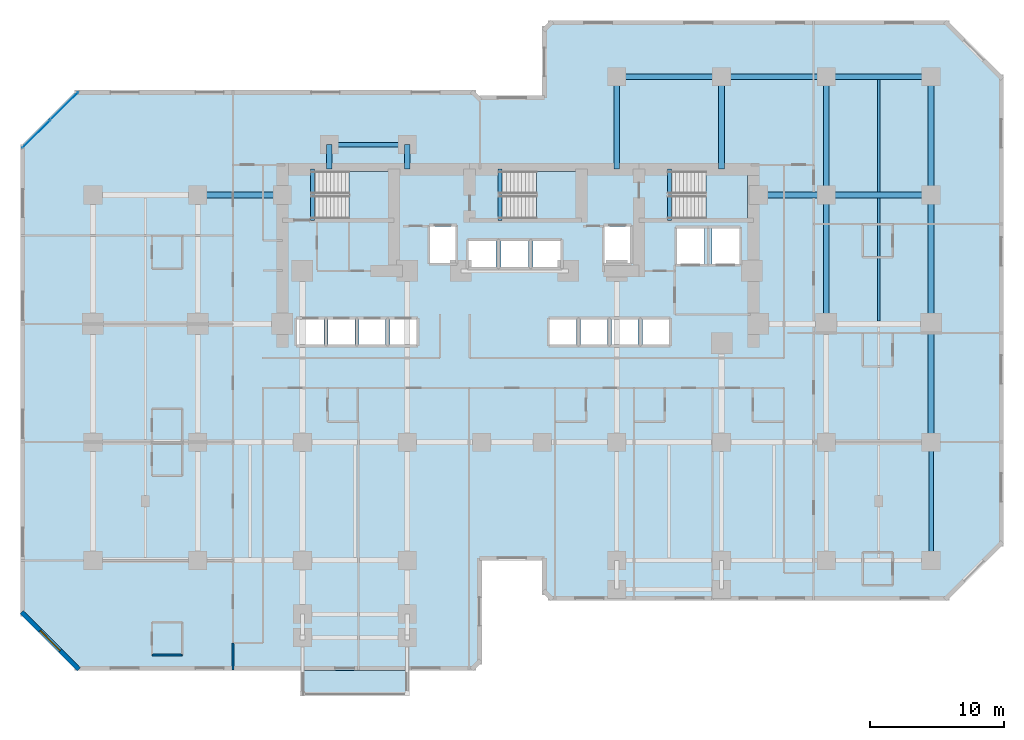
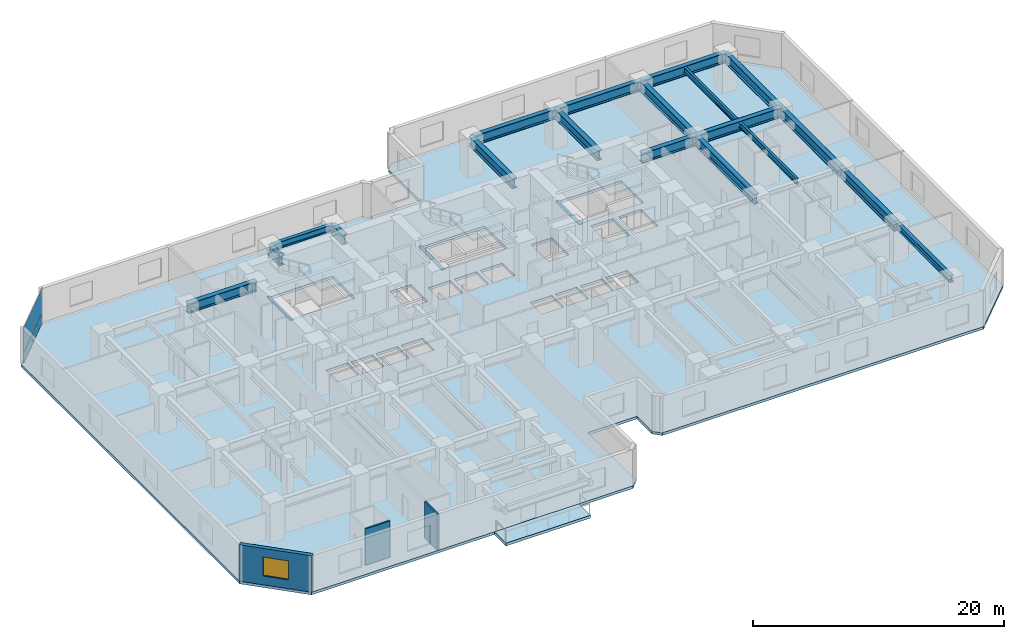
# One storey, part 4 of 12: 22 beams, 5 slabs, 4 plates, 3 walls, 1 window, 1 opening, 4 elements without a shape of their own.
"""IFC4 building model written with IfcOpenShell, lengths in metres."""

from ifc_helpers import new_model, si_unit, direction, frame, frame_2d, origin, origin_2d, place, context, subcontext, project, spatial, polyline, rectangle, i_section, outline, extrude, material, layer, layer_set, material_profile, profile_set, type_object, element, fill, aggregate, save


model = new_model("IFC4")

# Units and contexts
model_context = context("Model", 3, precision=1e-05, world=origin(), true_north=direction((0.0, 1.0)))
body_context = subcontext(model_context, "Body", "Model", "MODEL_VIEW")
ifc_project = project(units=[si_unit("LENGTHUNIT", "METRE"), si_unit("AREAUNIT", "SQUARE_METRE"), si_unit("VOLUMEUNIT", "CUBIC_METRE"), si_unit("PLANEANGLEUNIT", "RADIAN"), si_unit("MASSUNIT", "GRAM", prefix="KILO")], contexts=[model_context])

# Site, building, storey
site_placement = place(None, origin())
site = spatial("IfcSite", under=ifc_project, at=site_placement, CompositionType="ELEMENT")
building_placement = place(site_placement, origin())
building = spatial("IfcBuilding", under=site, at=building_placement, Name="Kestravale Grand Hotel", CompositionType="ELEMENT")
storey_placement = place(building_placement, frame((0.0, 0.0, 52.60009765625)))
storey = spatial("IfcBuildingStorey", under=building, at=storey_placement, Name="L12", CompositionType="ELEMENT", Elevation=52.60009765625)

# Beams
ifc_material_1 = material(Name="Steel ASTM A992 Grade 50", Category="steel")
ifc_material_profile_1 = material_profile(ifc_material_1, i_section(OverallWidth=0.2099609375, OverallDepth=0.535888671875, WebThickness=0.010986328125, FlangeThickness=0.017333984375, FilletRadius=0.017578125, at=origin_2d()))
ifc_profile_set_1 = profile_set([ifc_material_profile_1], Name="Steel ASTM A992 Grade 50")
beam_type_1 = type_object("IfcBeamType", Name="B-FLR-JST21", PredefinedType="JOIST", material=ifc_profile_set_1)
beam_1_placement = place(storey_placement, frame((66.300048828125, 29.011962890625, 3.27197265625), z_axis=(0.0, 1.0, 0.0), x_axis=(-1.0, 0.0, 0.0)))
element("IfcBeam", 1, at=beam_1_placement, inside=storey, type_object=beam_type_1, Name="L12 floor joist 10-11/E-F #1", PredefinedType="JOIST", context=body_context, shape_type="SweptSolid", body=[
    extrude(i_section(OverallWidth=0.2099609375, OverallDepth=0.535888671875, WebThickness=0.010986328125, FlangeThickness=0.017333984375, FilletRadius=0.017578125, at=origin_2d()), origin(), (0.0, 0.0, 1.0), 9.176025390625),
])
beam_2_placement = place(storey_placement, frame((66.300048828125, 38.612060546875, 3.27197265625), z_axis=(0.0, 1.0, 0.0), x_axis=(-1.0, 0.0, 0.0)))
element("IfcBeam", 2, at=beam_2_placement, inside=storey, type_object=beam_type_1, Name="L12 floor joist 10-11/F-G #1", PredefinedType="JOIST", context=body_context, shape_type="SweptSolid", body=[
    extrude(i_section(OverallWidth=0.2099609375, OverallDepth=0.535888671875, WebThickness=0.010986328125, FlangeThickness=0.017333984375, FilletRadius=0.017578125, at=origin_2d()), origin(), (0.0, 0.0, 1.0), 8.3759765625),
])
ifc_material_2 = material(Name="Concrete f'c 45 MPa", Category="concrete")
ifc_material_profile_2 = material_profile(ifc_material_2, rectangle(XDim=0.300048828125, YDim=0.39990234375, at=origin_2d()))
ifc_profile_set_2 = profile_set([ifc_material_profile_2], Name="Concrete f'c 45 MPa")
beam_type_2 = type_object("IfcBeamType", Name="B-FLR-LNT400", PredefinedType="LINTEL", material=ifc_profile_set_2)
for number, where, z_axis, x_axis, name in (
    (3, (24.159912109375, 36.52001953125, -0.2001953125), (0.0, 1.0, 0.0), (-1.0, 0.0, 0.0), "L12 ST1 flight bottom header beam"),
    (4, (38.110107421875, 36.52001953125, -0.2001953125), (0.0, 1.0, 0.0), (-1.0, 0.0, 0.0), "L12 ST2 flight bottom header beam"),
    (5, (50.7099609375, 36.52001953125, -0.2001953125), (0.0, 1.0, 0.0), (-1.0, 0.0, 0.0), "L12 ST3 flight bottom header beam"),
):
    element("IfcBeam", number, at=place(storey_placement, frame(where, z_axis=z_axis, x_axis=x_axis)), inside=storey, type_object=beam_type_2, Name=name, PredefinedType="LINTEL", context=body_context, shape_type="SweptSolid", body=[
        extrude(rectangle(XDim=0.300048828125, YDim=0.39990234375, at=origin_2d()), origin(), (0.0, 0.0, 1.0), 3.800048828125),
    ])
ifc_material_3 = material(Name="Steel ASTM A992 Grade 50", Category="steel")
ifc_material_profile_3 = material_profile(ifc_material_3, i_section(OverallWidth=0.324951171875, OverallDepth=0.612060546875, WebThickness=0.0126953125, FlangeThickness=0.01904296875, FilletRadius=0.018798828125, at=origin_2d()))
ifc_profile_set_3 = profile_set([ifc_material_profile_3], Name="Steel ASTM A992 Grade 50")
beam_type_3 = type_object("IfcBeamType", Name="B-FLR-W24A", PredefinedType="SPANDREL", material=ifc_profile_set_3)
beam_3_placement = place(storey_placement, frame((25.39990234375, 42.14990234375, 3.23388671875), z_axis=(1.0, 0.0, 0.0), x_axis=(0.0, 1.0, 0.0)))
element("IfcBeam", 6, at=beam_3_placement, inside=storey, type_object=beam_type_3, Name="L12 perimeter tie spandrel FN:4-5", PredefinedType="SPANDREL", context=body_context, shape_type="SweptSolid", body=[
    extrude(i_section(OverallWidth=0.324951171875, OverallDepth=0.612060546875, WebThickness=0.0126953125, FlangeThickness=0.01904296875, FilletRadius=0.018798828125, at=origin_2d()), origin(), (0.0, 0.0, 1.0), 5.800048828125),
])
beam_4_placement = place(storey_placement, frame((70.199951171875, 11.199951171875, 3.23388671875), z_axis=(0.0, 1.0, 0.0), x_axis=(-1.0, 0.0, 0.0)))
element("IfcBeam", 7, at=beam_4_placement, inside=storey, type_object=beam_type_3, Name="L12 spandrel 11:C-D", PredefinedType="SPANDREL", context=body_context, shape_type="SweptSolid", body=[
    extrude(i_section(OverallWidth=0.324951171875, OverallDepth=0.612060546875, WebThickness=0.0126953125, FlangeThickness=0.01904296875, FilletRadius=0.018798828125, at=origin_2d()), origin(), (0.0, 0.0, 1.0), 8.800048828125),
])
ifc_material_4 = material(Name="Steel ASTM A992 Grade 50", Category="steel")
ifc_material_profile_4 = material_profile(ifc_material_4, i_section(OverallWidth=0.424072265625, OverallDepth=0.947021484375, WebThickness=0.02392578125, FlangeThickness=0.042724609375, FilletRadius=0.0283203125, at=origin_2d()))
ifc_profile_set_4 = profile_set([ifc_material_profile_4], Name="Steel ASTM A992 Grade 50")
beam_type_4 = type_object("IfcBeamType", Name="B-GRD-W36", PredefinedType="BEAM", material=ifc_profile_set_4)
beam_5_placement = place(storey_placement, frame((15.60009765625, 38.39990234375, 3.06640625), z_axis=(1.0, 0.0, 0.0), x_axis=(0.0, 1.0, 0.0)))
element("IfcBeam", 8, at=beam_5_placement, inside=storey, type_object=beam_type_4, Name="L12 girder F:3-CW", PredefinedType="BEAM", context=body_context, shape_type="SweptSolid", body=[
    extrude(i_section(OverallWidth=0.424072265625, OverallDepth=0.947021484375, WebThickness=0.02392578125, FlangeThickness=0.042724609375, FilletRadius=0.0283203125, at=origin_2d()), origin(), (0.0, 0.0, 1.0), 6.2998046875),
])
beam_6_placement = place(storey_placement, frame((57.35009765625, 38.39990234375, 3.06640625), z_axis=(1.0, 0.0, 0.0), x_axis=(0.0, 1.0, 0.0)))
element("IfcBeam", 9, at=beam_6_placement, inside=storey, type_object=beam_type_4, Name="L12 girder F:CE-10", PredefinedType="BEAM", context=body_context, shape_type="SweptSolid", body=[
    extrude(i_section(OverallWidth=0.424072265625, OverallDepth=0.947021484375, WebThickness=0.02392578125, FlangeThickness=0.042724609375, FilletRadius=0.0283203125, at=origin_2d()), origin(), (0.0, 0.0, 1.0), 5.0498046875),
])
for number, where, z_axis, x_axis, name in (
    (10, (62.39990234375, 38.39990234375, 3.06640625), (1.0, 0.0, 0.0), (0.0, 1.0, 0.0), "L12 girder F:10-11"),
    (11, (46.800048828125, 47.199951171875, 3.06640625), (1.0, 0.0, 0.0), (0.0, 1.0, 0.0), "L12 girder G:8-9"),
):
    element("IfcBeam", number, at=place(storey_placement, frame(where, z_axis=z_axis, x_axis=x_axis)), inside=storey, type_object=beam_type_4, Name=name, PredefinedType="BEAM", context=body_context, shape_type="SweptSolid", body=[
        extrude(i_section(OverallWidth=0.424072265625, OverallDepth=0.947021484375, WebThickness=0.02392578125, FlangeThickness=0.042724609375, FilletRadius=0.0283203125, at=origin_2d()), origin(), (0.0, 0.0, 1.0), 7.800048828125),
    ])
beam_7_placement = place(storey_placement, frame((54.60009765625, 47.199951171875, 3.06640625), z_axis=(1.0, 0.0, 0.0), x_axis=(0.0, 1.0, 0.0)))
element("IfcBeam", 12, at=beam_7_placement, inside=storey, type_object=beam_type_4, Name="L12 girder G:9-10", PredefinedType="BEAM", context=body_context, shape_type="SweptSolid", body=[
    extrude(i_section(OverallWidth=0.424072265625, OverallDepth=0.947021484375, WebThickness=0.02392578125, FlangeThickness=0.042724609375, FilletRadius=0.0283203125, at=origin_2d()), origin(), (0.0, 0.0, 1.0), 7.7998046875),
])
beam_8_placement = place(storey_placement, frame((62.39990234375, 47.199951171875, 3.06640625), z_axis=(1.0, 0.0, 0.0), x_axis=(0.0, 1.0, 0.0)))
element("IfcBeam", 13, at=beam_8_placement, inside=storey, type_object=beam_type_4, Name="L12 girder G:10-11", PredefinedType="BEAM", context=body_context, shape_type="SweptSolid", body=[
    extrude(i_section(OverallWidth=0.424072265625, OverallDepth=0.947021484375, WebThickness=0.02392578125, FlangeThickness=0.042724609375, FilletRadius=0.0283203125, at=origin_2d()), origin(), (0.0, 0.0, 1.0), 7.800048828125),
])
beam_9_placement = place(storey_placement, frame((62.39990234375, 28.800048828125, 3.06640625), z_axis=(0.0, 1.0, 0.0), x_axis=(-1.0, 0.0, 0.0)))
element("IfcBeam", 14, at=beam_9_placement, inside=storey, type_object=beam_type_4, Name="L12 girder 10:E-F", PredefinedType="BEAM", context=body_context, shape_type="SweptSolid", body=[
    extrude(i_section(OverallWidth=0.424072265625, OverallDepth=0.947021484375, WebThickness=0.02392578125, FlangeThickness=0.042724609375, FilletRadius=0.0283203125, at=origin_2d()), origin(), (0.0, 0.0, 1.0), 9.599853515625),
])
for number, where, z_axis, x_axis, name in (
    (15, (62.39990234375, 38.39990234375, 3.06640625), (0.0, 1.0, 0.0), (-1.0, 0.0, 0.0), "L12 girder 10:F-G"),
    (16, (70.199951171875, 20.0, 3.06640625), (0.0, 1.0, 0.0), (-1.0, 0.0, 0.0), "L12 girder 11:D-E"),
):
    element("IfcBeam", number, at=place(storey_placement, frame(where, z_axis=z_axis, x_axis=x_axis)), inside=storey, type_object=beam_type_4, Name=name, PredefinedType="BEAM", context=body_context, shape_type="SweptSolid", body=[
        extrude(i_section(OverallWidth=0.424072265625, OverallDepth=0.947021484375, WebThickness=0.02392578125, FlangeThickness=0.042724609375, FilletRadius=0.0283203125, at=origin_2d()), origin(), (0.0, 0.0, 1.0), 8.800048828125),
    ])
beam_10_placement = place(storey_placement, frame((70.199951171875, 28.800048828125, 3.06640625), z_axis=(0.0, 1.0, 0.0), x_axis=(-1.0, 0.0, 0.0)))
element("IfcBeam", 17, at=beam_10_placement, inside=storey, type_object=beam_type_4, Name="L12 girder 11:E-F", PredefinedType="BEAM", context=body_context, shape_type="SweptSolid", body=[
    extrude(i_section(OverallWidth=0.424072265625, OverallDepth=0.947021484375, WebThickness=0.02392578125, FlangeThickness=0.042724609375, FilletRadius=0.0283203125, at=origin_2d()), origin(), (0.0, 0.0, 1.0), 9.599853515625),
])
beam_11_placement = place(storey_placement, frame((70.199951171875, 38.39990234375, 3.06640625), z_axis=(0.0, 1.0, 0.0), x_axis=(-1.0, 0.0, 0.0)))
element("IfcBeam", 18, at=beam_11_placement, inside=storey, type_object=beam_type_4, Name="L12 girder 11:F-G", PredefinedType="BEAM", context=body_context, shape_type="SweptSolid", body=[
    extrude(i_section(OverallWidth=0.424072265625, OverallDepth=0.947021484375, WebThickness=0.02392578125, FlangeThickness=0.042724609375, FilletRadius=0.0283203125, at=origin_2d()), origin(), (0.0, 0.0, 1.0), 8.800048828125),
])
for number, where, z_axis, x_axis, name in (
    (19, (25.39990234375, 40.320068359375, 3.06640625), (0.0, 1.0, 0.0), (-1.0, 0.0, 0.0), "L12 north wing tie girder 4:CN-FN"),
    (20, (31.199951171875, 40.320068359375, 3.06640625), (0.0, 1.0, 0.0), (-1.0, 0.0, 0.0), "L12 north wing tie girder 5:CN-FN"),
):
    element("IfcBeam", number, at=place(storey_placement, frame(where, z_axis=z_axis, x_axis=x_axis)), inside=storey, type_object=beam_type_4, Name=name, PredefinedType="BEAM", context=body_context, shape_type="SweptSolid", body=[
        extrude(i_section(OverallWidth=0.424072265625, OverallDepth=0.947021484375, WebThickness=0.02392578125, FlangeThickness=0.042724609375, FilletRadius=0.0283203125, at=origin_2d()), origin(), (0.0, 0.0, 1.0), 1.829833984375),
    ])
for number, where, z_axis, x_axis, name in (
    (21, (46.800048828125, 40.320068359375, 3.06640625), (0.0, 1.0, 0.0), (-1.0, 0.0, 0.0), "L12 north wing tie girder 8:CN-G"),
    (22, (54.60009765625, 40.320068359375, 3.06640625), (0.0, 1.0, 0.0), (-1.0, 0.0, 0.0), "L12 north wing tie girder 9:CN-G"),
):
    element("IfcBeam", number, at=place(storey_placement, frame(where, z_axis=z_axis, x_axis=x_axis)), inside=storey, type_object=beam_type_4, Name=name, PredefinedType="BEAM", context=body_context, shape_type="SweptSolid", body=[
        extrude(i_section(OverallWidth=0.424072265625, OverallDepth=0.947021484375, WebThickness=0.02392578125, FlangeThickness=0.042724609375, FilletRadius=0.0283203125, at=origin_2d()), origin(), (0.0, 0.0, 1.0), 6.8798828125),
    ])

# Curtain wall, plates
ifc_material_5 = material(Name="Thermally broken champagne-bronze aluminium and low-E glazing", Category="aluminium")
ifc_layer_1 = layer(ifc_material_5, 0.199951171875)
ifc_layer_set_1 = layer_set([ifc_layer_1], Name="CW-Z1")
curtain_wall_type = type_object("IfcCurtainWallType", Name="CW-Z1", PredefinedType="NOTDEFINED", material=ifc_layer_set_1)
curtain_wall_placement = place(storey_placement, origin())
curtain_wall = element("IfcCurtainWall", 23, at=curtain_wall_placement, inside=storey, type_object=curtain_wall_type, Name="L12 unitised curtain wall 18", PredefinedType="NOTDEFINED")
ifc_material_6 = material(Name="Insulated clear low-E double glazing IGU", Category="glass")
ifc_layer_2 = layer(ifc_material_6, 0.035888671875)
ifc_layer_set_2 = layer_set([ifc_layer_2], Name="CW-PNL-36")
plate_type = type_object("IfcPlateType", Name="CW-PNL-36", PredefinedType="CURTAIN_PANEL", material=ifc_layer_set_2)
plate_1_placement = place(storey_placement, frame((5.6640625, 45.023681640625, 0.074951171875), z_axis=(0.0, 0.0, 1.0), x_axis=(-0.707106781187, -0.707106781187, 0.0)))
plate_1 = element("IfcPlate", 24, at=plate_1_placement, type_object=plate_type, Name="CW-Z1 panel 1.1", PredefinedType="CURTAIN_PANEL", context=body_context, shape_type="SweptSolid", body=[
    extrude(rectangle(XDim=2.87744140625, YDim=0.035888671875, at=origin_2d()), origin(), (0.0, 0.0, 1.0), 0.9375),
])
plate_2_placement = place(storey_placement, frame((5.6640625, 45.023681640625, 1.08740234375), z_axis=(0.0, 0.0, 1.0), x_axis=(-0.707106781187, -0.707106781187, 0.0)))
plate_2 = element("IfcPlate", 25, at=plate_2_placement, type_object=plate_type, Name="CW-Z1 panel 1.2", PredefinedType="CURTAIN_PANEL", context=body_context, shape_type="SweptSolid", body=[
    extrude(rectangle(XDim=2.87744140625, YDim=0.035888671875, at=origin_2d()), origin(), (0.0, 0.0, 1.0), 2.37744140625),
])
plate_3_placement = place(storey_placement, frame((3.576416015625, 42.93603515625, 0.074951171875), z_axis=(0.0, 0.0, 1.0), x_axis=(-0.707106781187, -0.707106781187, 0.0)))
plate_3 = element("IfcPlate", 26, at=plate_3_placement, type_object=plate_type, Name="CW-Z1 panel 2.1", PredefinedType="CURTAIN_PANEL", context=body_context, shape_type="SweptSolid", body=[
    extrude(rectangle(XDim=2.87744140625, YDim=0.035888671875, at=origin_2d()), origin(), (0.0, 0.0, 1.0), 0.9375),
])
plate_4_placement = place(storey_placement, frame((3.576416015625, 42.93603515625, 1.08740234375), z_axis=(0.0, 0.0, 1.0), x_axis=(-0.707106781187, -0.707106781187, 0.0)))
plate_4 = element("IfcPlate", 27, at=plate_4_placement, type_object=plate_type, Name="CW-Z1 panel 2.2", PredefinedType="CURTAIN_PANEL", context=body_context, shape_type="SweptSolid", body=[
    extrude(rectangle(XDim=2.87744140625, YDim=0.035888671875, at=origin_2d()), origin(), (0.0, 0.0, 1.0), 2.37744140625),
])
aggregate(curtain_wall, [plate_1, plate_2, plate_3, plate_4])

# Slab
ifc_material_7 = material(Name="Concrete f'c 45 MPa", Category="concrete")
ifc_layer_3 = layer(ifc_material_7, 0.27001953125)
ifc_layer_set_3 = layer_set([ifc_layer_3], Name="ES-TERR-270")
slab_type_1 = type_object("IfcSlabType", Name="ES-TERR-270", PredefinedType="FLOOR", material=ifc_layer_set_3)
slab_1_placement = place(storey_placement, frame((0.0, 0.0, -0.27001953125)))
element("IfcSlab", 28, at=slab_1_placement, inside=storey, type_object=slab_type_1, Name="L12 spiralling planted garden terrace", PredefinedType="FLOOR", context=body_context, shape_type="SweptSolid", body=[
    extrude(outline(polyline([(23.39990234375, 1.14990234375), (31.199951171875, 1.14990234375), (31.199951171875, 3.0), (23.39990234375, 3.0), (23.39990234375, 1.14990234375)])), origin(), (0.0, 0.0, 1.0), 0.27001953125),
])

# Stair, slab
ifc_material_8 = material(Name="Concrete f'c 45 MPa", Category="concrete")
stair_type = type_object("IfcStairType", Name="ST-CORE-380", PredefinedType="HALF_TURN_STAIR", material=ifc_material_8)
stair_1_placement = place(storey_placement, origin())
stair_1 = element("IfcStair", 29, at=stair_1_placement, inside=storey, type_object=stair_type, Name="L12 ST-1", PredefinedType="HALF_TURN_STAIR")
ifc_material_9 = material(Name="Concrete f'c 45 MPa", Category="concrete")
ifc_layer_4 = layer(ifc_material_9, 0.199951171875)
ifc_layer_set_4 = layer_set([ifc_layer_4], Name="SLB-ST-LND200")
slab_type_2 = type_object("IfcSlabType", Name="SLB-ST-LND200", PredefinedType="LANDING", material=ifc_layer_set_4)
slab_2_placement = place(storey_placement, frame((0.0, 0.0, 1.699951171875)))
slab_2 = element("IfcSlab", 30, at=slab_2_placement, type_object=slab_type_2, Name="ST-1 landing 1", PredefinedType="LANDING", context=body_context, shape_type="SweptSolid", body=[
    extrude(outline(polyline([(26.8798828125, 36.64990234375), (30.0, 36.64990234375), (30.0, 40.159912109375), (26.8798828125, 40.159912109375), (26.8798828125, 36.64990234375)])), origin(), (0.0, 0.0, 1.0), 0.199951171875),
])
aggregate(stair_1, [slab_2])

stair_2_placement = place(storey_placement, origin())
stair_2 = element("IfcStair", 31, at=stair_2_placement, inside=storey, type_object=stair_type, Name="L12 ST-2", PredefinedType="HALF_TURN_STAIR")
slab_3_placement = place(storey_placement, frame((0.0, 0.0, 1.699951171875)))
slab_3 = element("IfcSlab", 32, at=slab_3_placement, type_object=slab_type_2, Name="ST-2 landing 1", PredefinedType="LANDING", context=body_context, shape_type="SweptSolid", body=[
    extrude(outline(polyline([(40.830078125, 36.64990234375), (43.949951171875, 36.64990234375), (43.949951171875, 40.159912109375), (40.830078125, 40.159912109375), (40.830078125, 36.64990234375)])), origin(), (0.0, 0.0, 1.0), 0.199951171875),
])
aggregate(stair_2, [slab_3])

stair_3_placement = place(storey_placement, origin())
stair_3 = element("IfcStair", 33, at=stair_3_placement, inside=storey, type_object=stair_type, Name="L12 ST-3", PredefinedType="HALF_TURN_STAIR")
slab_4_placement = place(storey_placement, frame((0.0, 0.0, 1.699951171875)))
slab_4 = element("IfcSlab", 34, at=slab_4_placement, type_object=slab_type_2, Name="ST-3 landing 1", PredefinedType="LANDING", context=body_context, shape_type="SweptSolid", body=[
    extrude(outline(polyline([(53.429931640625, 36.64990234375), (56.550048828125, 36.64990234375), (56.550048828125, 40.159912109375), (53.429931640625, 40.159912109375), (53.429931640625, 36.64990234375)])), origin(), (0.0, 0.0, 1.0), 0.199951171875),
])
aggregate(stair_3, [slab_4])

# Slab
ifc_material_10 = material(Name="Concrete f'c 45 MPa", Category="concrete")
ifc_layer_5 = layer(ifc_material_10, 0.260009765625)
ifc_layer_set_5 = layer_set([ifc_layer_5], Name="SS-FLR-260")
slab_type_3 = type_object("IfcSlabType", Name="SS-FLR-260", PredefinedType="FLOOR", material=ifc_layer_set_5)
slab_5_placement = place(storey_placement, frame((0.0, 0.0, -0.260009765625)))
element("IfcSlab", 35, at=slab_5_placement, inside=storey, type_object=slab_type_3, Name="L12 structural floor slab", PredefinedType="FLOOR", context=body_context, shape_type="SweptSolid", body=[
    extrude(outline(polyline([(6.60009765625, 3.0), (36.14990234375, 3.0), (36.75, 3.60009765625), (36.75, 11.199951171875), (41.25, 11.199951171875), (41.25, 8.800048828125), (41.85009765625, 8.199951171875), (71.39990234375, 8.199951171875), (75.60009765625, 12.39990234375), (75.60009765625, 47.199951171875), (71.39990234375, 51.39990234375), (41.85009765625, 51.39990234375), (41.25, 50.800048828125), (41.25, 45.800048828125), (36.75, 45.800048828125), (36.75, 45.60009765625), (36.14990234375, 46.199951171875), (6.60009765625, 46.199951171875), (2.39990234375, 42.0), (2.39990234375, 7.199951171875), (6.60009765625, 3.0)]), holes=[polyline([(24.080078125, 36.64990234375), (30.0, 36.64990234375), (30.0, 40.159912109375), (24.080078125, 40.159912109375), (24.080078125, 36.64990234375)]), polyline([(38.030029296875, 36.64990234375), (43.949951171875, 36.64990234375), (43.949951171875, 40.159912109375), (38.030029296875, 40.159912109375), (38.030029296875, 36.64990234375)]), polyline([(50.6298828125, 36.64990234375), (56.550048828125, 36.64990234375), (56.550048828125, 40.159912109375), (50.6298828125, 40.159912109375), (50.6298828125, 36.64990234375)]), polyline([(23.0048828125, 27.280029296875), (24.9951171875, 27.280029296875), (24.9951171875, 29.1201171875), (23.0048828125, 29.1201171875), (23.0048828125, 27.280029296875)]), polyline([(25.304931640625, 27.280029296875), (27.294921875, 27.280029296875), (27.294921875, 29.1201171875), (25.304931640625, 29.1201171875), (25.304931640625, 27.280029296875)]), polyline([(27.60498046875, 27.280029296875), (29.594970703125, 27.280029296875), (29.594970703125, 29.1201171875), (27.60498046875, 29.1201171875), (27.60498046875, 27.280029296875)]), polyline([(29.905029296875, 27.280029296875), (31.89501953125, 27.280029296875), (31.89501953125, 29.1201171875), (29.905029296875, 29.1201171875), (29.905029296875, 27.280029296875)]), polyline([(41.804931640625, 27.280029296875), (43.794921875, 27.280029296875), (43.794921875, 29.1201171875), (41.804931640625, 29.1201171875), (41.804931640625, 27.280029296875)]), polyline([(44.10498046875, 27.280029296875), (46.094970703125, 27.280029296875), (46.094970703125, 29.1201171875), (44.10498046875, 29.1201171875), (44.10498046875, 27.280029296875)]), polyline([(46.405029296875, 27.280029296875), (48.39501953125, 27.280029296875), (48.39501953125, 29.1201171875), (46.405029296875, 29.1201171875), (46.405029296875, 27.280029296875)]), polyline([(48.705078125, 27.280029296875), (50.695068359375, 27.280029296875), (50.695068359375, 29.1201171875), (48.705078125, 29.1201171875), (48.705078125, 27.280029296875)]), polyline([(35.780029296875, 33.030029296875), (37.820068359375, 33.030029296875), (37.820068359375, 34.969970703125), (35.780029296875, 34.969970703125), (35.780029296875, 33.030029296875)]), polyline([(38.179931640625, 33.030029296875), (40.219970703125, 33.030029296875), (40.219970703125, 34.969970703125), (38.179931640625, 34.969970703125), (38.179931640625, 33.030029296875)]), polyline([(40.580078125, 33.030029296875), (42.6201171875, 33.030029296875), (42.6201171875, 34.969970703125), (40.580078125, 34.969970703125), (40.580078125, 33.030029296875)]), polyline([(32.905029296875, 33.35498046875), (34.794921875, 33.35498046875), (34.794921875, 36.044921875), (32.905029296875, 36.044921875), (32.905029296875, 33.35498046875)]), polyline([(45.905029296875, 33.35498046875), (47.794921875, 33.35498046875), (47.794921875, 36.044921875), (45.905029296875, 36.044921875), (45.905029296875, 33.35498046875)]), polyline([(51.280029296875, 33.280029296875), (53.320068359375, 33.280029296875), (53.320068359375, 35.919921875), (51.280029296875, 35.919921875), (51.280029296875, 33.280029296875)]), polyline([(53.8798828125, 33.280029296875), (55.919921875, 33.280029296875), (55.919921875, 35.919921875), (53.8798828125, 35.919921875), (53.8798828125, 33.280029296875)])]), origin(), (0.0, 0.0, 1.0), 0.260009765625),
])

# Wall, opening, window
ifc_material_11 = material(Name="Precast concrete f'c 45 MPa", Category="concrete")
ifc_layer_6 = layer(ifc_material_11, 0.340087890625)
ifc_layer_set_6 = layer_set([ifc_layer_6], Name="EW-PREC-340")
wall_type_1 = type_object("IfcWallType", Name="EW-PREC-340", PredefinedType="SOLIDWALL", material=ifc_layer_set_6)
wall_1_placement = place(storey_placement, frame((2.491943359375, 7.348388671875, 0.0), z_axis=(0.0, 0.0, 1.0), x_axis=(0.707106781187, -0.707106781187, 0.0)))
wall_1 = element("IfcWall", 36, at=wall_1_placement, inside=storey, type_object=wall_type_1, Name="L12 fluted precast facade wall 20", PredefinedType="SOLIDWALL", context=body_context, shape_type="SweptSolid", body=[
    extrude(rectangle(XDim=6.019775390625, YDim=0.340087890625, at=frame_2d((3.009765625, 0.0))), origin(), (0.0, 0.0, 1.0), 3.539794921875),
])
opening_placement = place(wall_1_placement, frame((1.9599609375, 0.0, 0.85009765625)))
opening = element("IfcOpeningElement", 37, at=opening_placement, cuts=wall_1, Name="Opening W-GUEST-2100", PredefinedType="OPENING", context=body_context, shape_type="SweptSolid", body=[
    extrude(rectangle(XDim=2.10009765625, YDim=1.85009765625, at=frame_2d((1.050048828125, 0.925048828125))), frame((0.0, 0.179931640625, 0.0), z_axis=(0.0, -1.0, 0.0), x_axis=(1.0, 0.0, 0.0)), (0.0, 0.0, 1.0), 0.360107421875),
])
ifc_material_12 = material(Name="Insulated low-E double glazing in aluminium frame", Category="aluminium")
window_type = type_object("IfcWindowType", Name="W-GUEST-2100", PartitioningType="DOUBLE_PANEL_VERTICAL", PredefinedType="WINDOW", material=ifc_material_12)
window_placement = place(opening_placement, origin())
window = element("IfcWindow", 38, at=window_placement, inside=storey, type_object=window_type, Name="L12 exterior window 20.1", OverallHeight=1.85009765625, OverallWidth=2.10009765625, PartitioningType="SINGLE_PANEL", PredefinedType="WINDOW", context=body_context, shape_type="SweptSolid", body=[
    extrude(rectangle(XDim=2.10009765625, YDim=1.85009765625, at=frame_2d((1.050048828125, 0.925048828125))), frame((0.0, 0.030029296875, 0.0), z_axis=(0.0, -1.0, 0.0), x_axis=(1.0, 0.0, 0.0)), (0.0, 0.0, 1.0), 0.06005859375),
])
fill(opening, window)

# Walls
ifc_material_13 = material(Name="Moisture-resistant tile-backer plumbing chase wall", Category="other")
ifc_layer_7 = layer(ifc_material_13, 0.139892578125)
ifc_layer_set_7 = layer_set([ifc_layer_7], Name="IW-PLB-140")
wall_type_2 = type_object("IfcWallType", Name="IW-PLB-140", PredefinedType="PLUMBINGWALL", material=ifc_layer_set_7)
wall_2_placement = place(storey_placement, frame((12.199951171875, 4.14990234375, 0.0), z_axis=(0.0, 0.0, 1.0), x_axis=(1.0, 0.0, 0.0)))
element("IfcWall", 39, at=wall_2_placement, inside=storey, type_object=wall_type_2, Name="W-L12-U05-BS", PredefinedType="PLUMBINGWALL", context=body_context, shape_type="SweptSolid", body=[
    extrude(rectangle(XDim=2.25, YDim=0.139892578125, at=frame_2d((1.125, 0.0))), origin(), (0.0, 0.0, 1.0), 3.539794921875),
])
ifc_material_14 = material(Name="Double-stud STC 52 acoustic demising partition", Category="other")
ifc_layer_8 = layer(ifc_material_14, 0.14990234375)
ifc_layer_set_8 = layer_set([ifc_layer_8], Name="IW-UNIT-150")
wall_type_3 = type_object("IfcWallType", Name="IW-UNIT-150", PredefinedType="PARTITIONING", material=ifc_layer_set_8)
wall_3_placement = place(storey_placement, frame((18.239990234375, 3.02001953125, 0.0), z_axis=(0.0, 0.0, 1.0), x_axis=(0.0, 1.0, 0.0)))
element("IfcWall", 40, at=wall_3_placement, inside=storey, type_object=wall_type_3, Name="W-L12-SW-EXT", PredefinedType="PARTITIONING", context=body_context, shape_type="SweptSolid", body=[
    extrude(rectangle(XDim=2.030029296875, YDim=0.14990234375, at=frame_2d((1.01513671875, 0.0))), origin(), (0.0, 0.0, 1.0), 3.539794921875),
])

save(model, "model.ifc")
